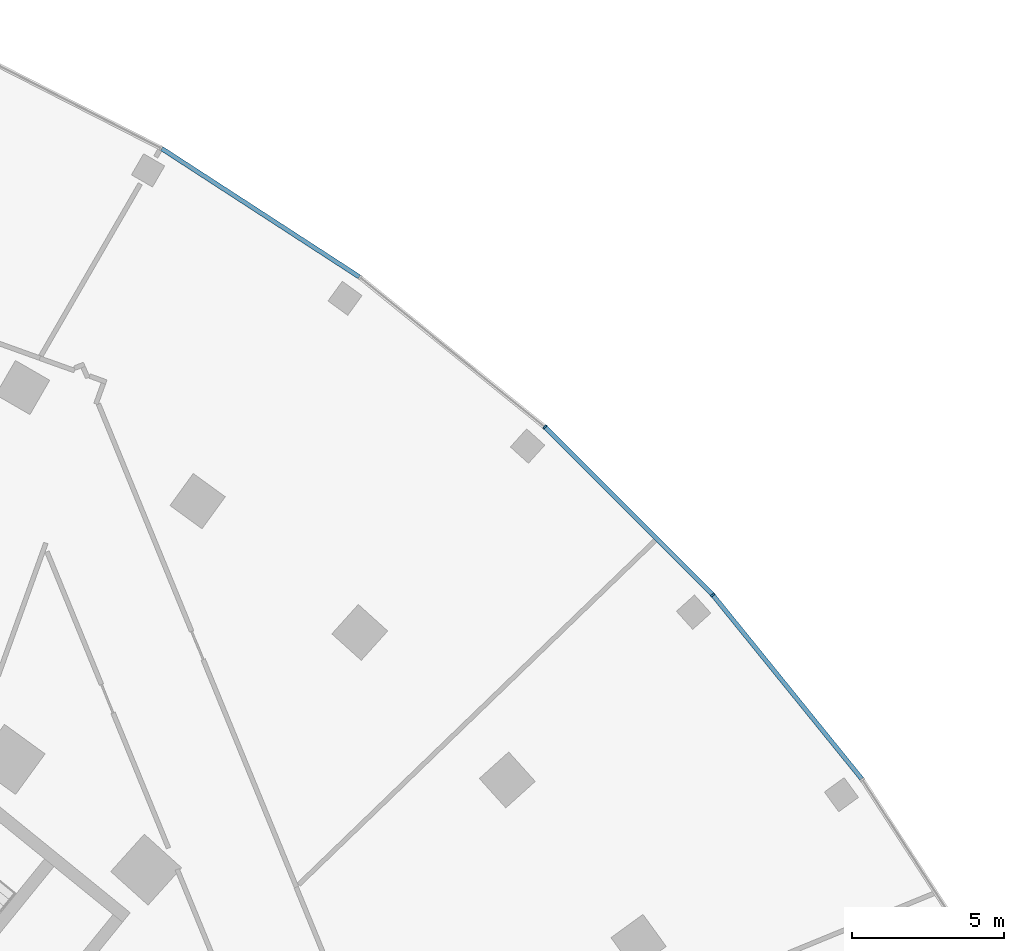
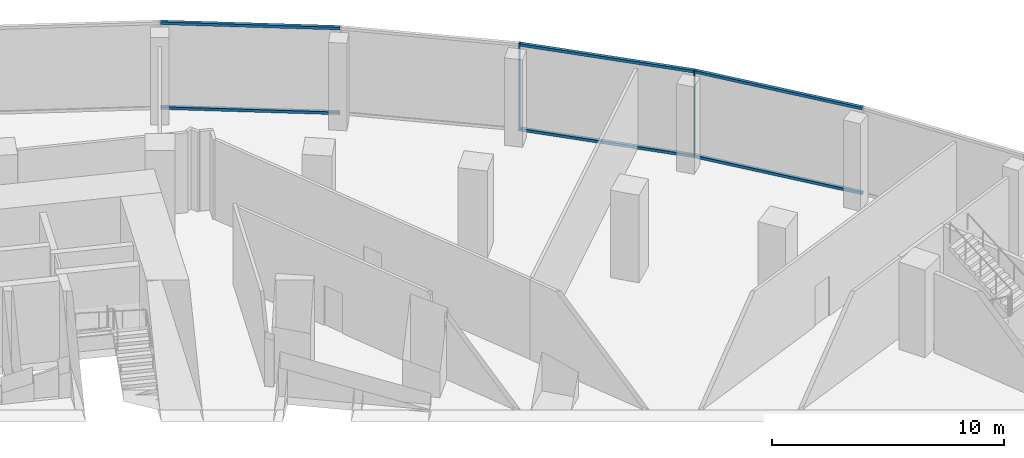
# One storey, part 12 of 40: 8 members, 1 element without a shape of its own.
"""IFC4 building model written with IfcOpenShell, lengths in metres."""

from ifc_helpers import new_model, si_unit, direction, frame, origin, origin_2d, place, context, subcontext, project, spatial, rectangle, extrude, material, layer, layer_set, material_profile, profile_set, type_object, element, aggregate, save


model = new_model("IFC4")

# Units and contexts
model_context = context("Model", 3, precision=1e-05, world=origin(), true_north=direction((0.0, 1.0)))
body_context = subcontext(model_context, "Body", "Model", "MODEL_VIEW")
ifc_project = project(units=[si_unit("LENGTHUNIT", "METRE"), si_unit("AREAUNIT", "SQUARE_METRE"), si_unit("VOLUMEUNIT", "CUBIC_METRE"), si_unit("PLANEANGLEUNIT", "RADIAN"), si_unit("MASSUNIT", "GRAM", prefix="KILO")], contexts=[model_context])

# Site, building, storey
site_placement = place(None, origin())
site = spatial("IfcSite", under=ifc_project, at=site_placement, CompositionType="ELEMENT")
building_placement = place(site_placement, origin())
building = spatial("IfcBuilding", under=site, at=building_placement, Name="Stone Belt Terrace Tower", CompositionType="ELEMENT")
storey_placement = place(building_placement, frame((0.0, 0.0, 11.60009765625)))
storey = spatial("IfcBuildingStorey", under=building, at=storey_placement, Name="L02", CompositionType="ELEMENT", Elevation=11.60009765625)

# Curtain wall, members
ifc_material = material(Name="Aluminium 6063-T6 anodised frame", Category="aluminium")
ifc_layer = layer(ifc_material, 0.14990234375)
ifc_layer_set = layer_set([ifc_layer], Name="CW-D podium shopfront")
curtain_wall_type = type_object("IfcCurtainWallType", Name="CW-D podium shopfront", PredefinedType="NOTDEFINED", material=ifc_layer_set)
curtain_wall_placement = place(storey_placement, origin())
curtain_wall = element("IfcCurtainWall", 1, at=curtain_wall_placement, inside=storey, type_object=curtain_wall_type, Name="CW-D convex face L02", PredefinedType="NOTDEFINED")
ifc_material_profile_1 = material_profile(ifc_material, rectangle(XDim=0.14990234375, YDim=0.06005859375, at=origin_2d()), Name="Aluminium 6063-T6 60x150")
ifc_profile_set_1 = profile_set([ifc_material_profile_1], Name="Aluminium 6063-T6 anodised frame")
member_type_1 = type_object("IfcMemberType", Name="CW-D mullion 60 x 150", PredefinedType="MULLION", material=ifc_profile_set_1)
member_1_placement = place(storey_placement, frame((55.420166015625, 49.900390625, 0.0), z_axis=(0.0, 0.0, 1.0), x_axis=(-0.743144825477, -0.669130606359, 0.0)))
member_1 = element("IfcMember", 2, at=member_1_placement, type_object=member_type_1, Name="CW-D mullion 5", PredefinedType="MULLION", context=body_context, shape_type="SweptSolid", body=[
    extrude(rectangle(XDim=0.14990234375, YDim=0.06005859375, at=origin_2d()), origin(), (0.0, 0.0, 1.0), 4.599853515625),
])
member_2_placement = place(storey_placement, frame((49.900390625, 55.420166015625, 0.0), z_axis=(0.0, 0.0, 1.0), x_axis=(-0.669130606359, -0.743144825477, 0.0)))
member_2 = element("IfcMember", 3, at=member_2_placement, type_object=member_type_1, Name="CW-D mullion 6", PredefinedType="MULLION", context=body_context, shape_type="SweptSolid", body=[
    extrude(rectangle(XDim=0.14990234375, YDim=0.06005859375, at=origin_2d()), origin(), (0.0, 0.0, 1.0), 4.599853515625),
])
ifc_material_profile_2 = material_profile(ifc_material, rectangle(XDim=0.14990234375, YDim=0.139892578125, at=origin_2d()), Name="Aluminium 6063-T6 150x140")
ifc_profile_set_2 = profile_set([ifc_material_profile_2], Name="Aluminium 6063-T6 anodised frame")
member_type_2 = type_object("IfcMemberType", Name="CW-D transom 140 x 150", PredefinedType="USERDEFINED", material=ifc_profile_set_2)
member_3_placement = place(storey_placement, frame((60.311279296875, 43.860595703125, 0.06982421875), z_axis=(-0.62932800712, 0.777139794023, 0.0), x_axis=(-0.777139794023, -0.62932800712, 0.0)))
member_3 = element("IfcMember", 4, at=member_3_placement, type_object=member_type_2, Name="CW-D transom 4.1", ObjectType="TRANSOM", PredefinedType="USERDEFINED", context=body_context, shape_type="SweptSolid", body=[
    extrude(rectangle(XDim=0.14990234375, YDim=0.139892578125, at=origin_2d()), origin(), (0.0, 0.0, 1.0), 7.73828125),
])
member_4_placement = place(storey_placement, frame((60.311279296875, 43.860595703125, 4.52978515625), z_axis=(-0.62932800712, 0.777139794023, 0.0), x_axis=(-0.777139794023, -0.62932800712, 0.0)))
member_4 = element("IfcMember", 5, at=member_4_placement, type_object=member_type_2, Name="CW-D transom 4.2", ObjectType="TRANSOM", PredefinedType="USERDEFINED", context=body_context, shape_type="SweptSolid", body=[
    extrude(rectangle(XDim=0.14990234375, YDim=0.139892578125, at=origin_2d()), origin(), (0.0, 0.0, 1.0), 7.73828125),
])
member_5_placement = place(storey_placement, frame((55.396240234375, 49.924560546875, 0.06982421875), z_axis=(-0.707106781187, 0.707106781187, 0.0), x_axis=(-0.707106781187, -0.707106781187, 0.0)))
member_5 = element("IfcMember", 6, at=member_5_placement, type_object=member_type_2, Name="CW-D transom 5.1", ObjectType="TRANSOM", PredefinedType="USERDEFINED", context=body_context, shape_type="SweptSolid", body=[
    extrude(rectangle(XDim=0.14990234375, YDim=0.139892578125, at=origin_2d()), origin(), (0.0, 0.0, 1.0), 7.738037109375),
])
member_6_placement = place(storey_placement, frame((55.396240234375, 49.924560546875, 4.52978515625), z_axis=(-0.707106781187, 0.707106781187, 0.0), x_axis=(-0.707106781187, -0.707106781187, 0.0)))
member_6 = element("IfcMember", 7, at=member_6_placement, type_object=member_type_2, Name="CW-D transom 5.2", ObjectType="TRANSOM", PredefinedType="USERDEFINED", context=body_context, shape_type="SweptSolid", body=[
    extrude(rectangle(XDim=0.14990234375, YDim=0.139892578125, at=origin_2d()), origin(), (0.0, 0.0, 1.0), 7.738037109375),
])
member_7_placement = place(storey_placement, frame((43.8056640625, 60.35107421875, 0.06982421875), z_axis=(-0.83867853224, 0.54462677088, 0.0), x_axis=(-0.54462677088, -0.83867853224, 0.0)))
member_7 = element("IfcMember", 8, at=member_7_placement, type_object=member_type_2, Name="CW-D transom 7.1", ObjectType="TRANSOM", PredefinedType="USERDEFINED", context=body_context, shape_type="SweptSolid", body=[
    extrude(rectangle(XDim=0.14990234375, YDim=0.139892578125, at=origin_2d()), origin(), (0.0, 0.0, 1.0), 7.738037109375),
])
member_8_placement = place(storey_placement, frame((43.8056640625, 60.35107421875, 4.52978515625), z_axis=(-0.83867853224, 0.54462677088, 0.0), x_axis=(-0.54462677088, -0.83867853224, 0.0)))
member_8 = element("IfcMember", 9, at=member_8_placement, type_object=member_type_2, Name="CW-D transom 7.2", ObjectType="TRANSOM", PredefinedType="USERDEFINED", context=body_context, shape_type="SweptSolid", body=[
    extrude(rectangle(XDim=0.14990234375, YDim=0.139892578125, at=origin_2d()), origin(), (0.0, 0.0, 1.0), 7.738037109375),
])
aggregate(curtain_wall, [member_1, member_2, member_3, member_4, member_5, member_6, member_7, member_8])

save(model, "model.ifc")
